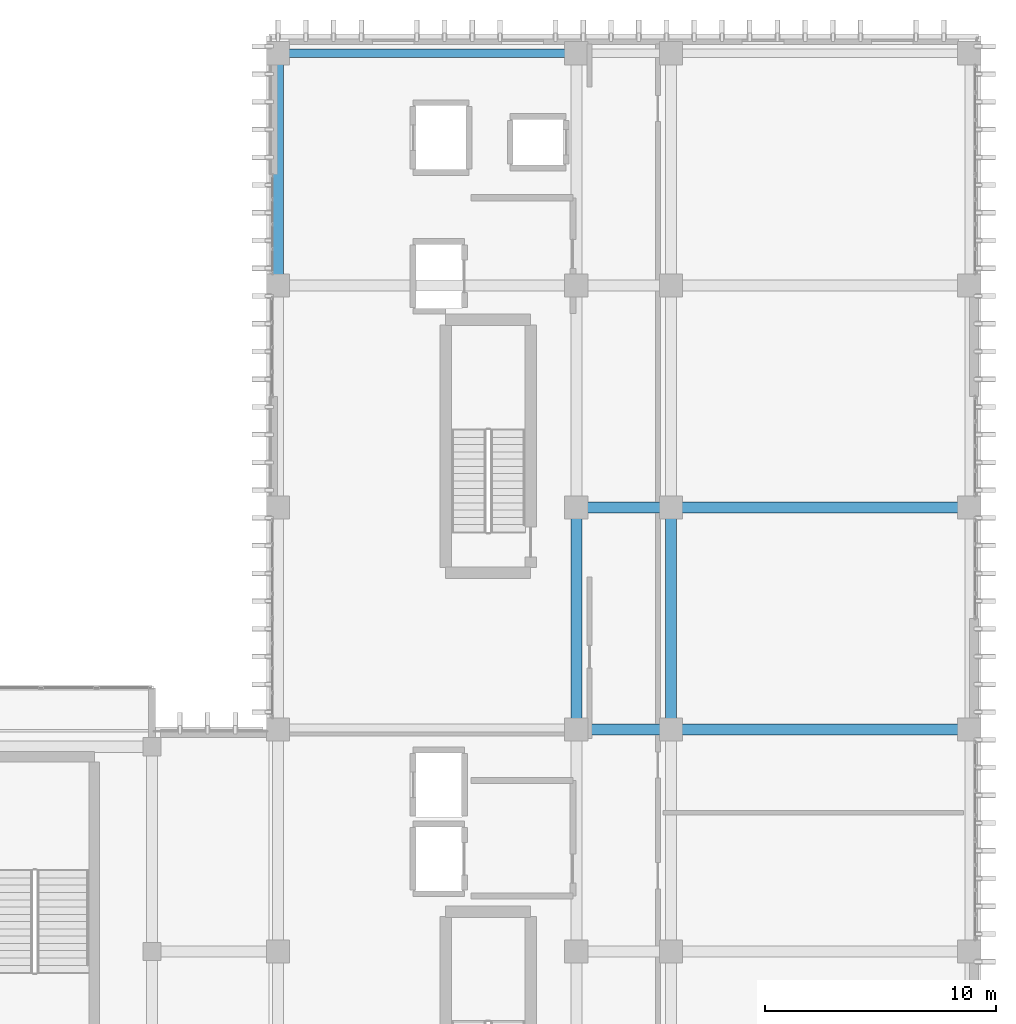
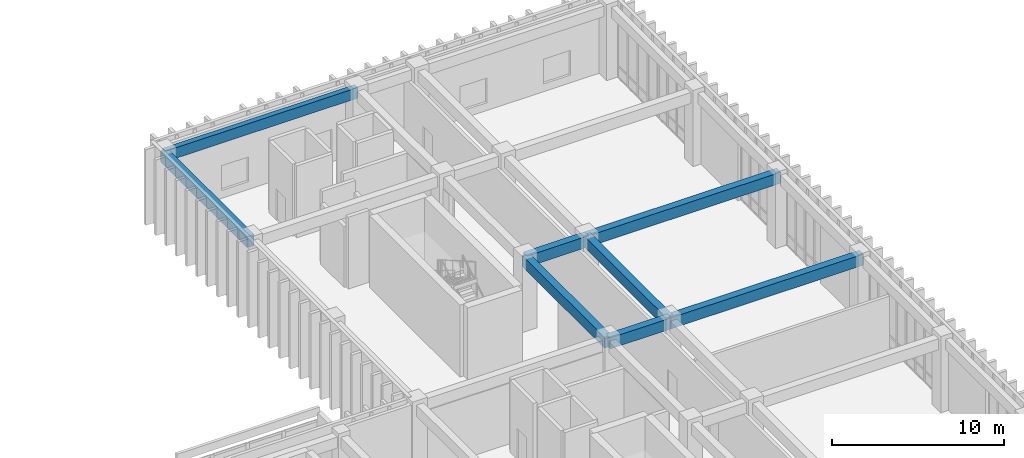
# One storey, part 82 of 134: 8 beams.
"""IFC4 building model written with IfcOpenShell, lengths in metres."""

from ifc_helpers import new_model, si_unit, direction, frame, origin, origin_2d, place, context, subcontext, project, spatial, rectangle, extrude, material, material_profile, profile_set, type_object, element, save


model = new_model("IFC4")

# Units and contexts
model_context = context("Model", 3, precision=1e-05, world=origin(), true_north=direction((0.0, 1.0)))
body_context = subcontext(model_context, "Body", "Model", "MODEL_VIEW")
ifc_project = project(units=[si_unit("LENGTHUNIT", "METRE"), si_unit("AREAUNIT", "SQUARE_METRE"), si_unit("VOLUMEUNIT", "CUBIC_METRE"), si_unit("PLANEANGLEUNIT", "RADIAN"), si_unit("MASSUNIT", "GRAM", prefix="KILO")], contexts=[model_context])

# Site, building, storey
site_placement = place(None, origin())
site = spatial("IfcSite", under=ifc_project, at=site_placement, CompositionType="ELEMENT")
building_placement = place(site_placement, origin())
building = spatial("IfcBuilding", under=site, at=building_placement, Name="Nakhvara Creek Congress Hotel", CompositionType="ELEMENT")
storey_placement = place(building_placement, frame((0.0, 0.0, 6.0)))
storey = spatial("IfcBuildingStorey", under=building, at=storey_placement, Name="L01", CompositionType="ELEMENT", Elevation=6.0)

# Beams
ifc_material = material(Name="Concrete C40/50", Category="concrete")
ifc_material_profile_1 = material_profile(ifc_material, rectangle(XDim=0.47998046875, YDim=0.780029296875, at=origin_2d()), Name="RC-BM 480x780", Category="LoadBearing")
ifc_profile_set_1 = profile_set([ifc_material_profile_1], Name="Concrete C40/50")
beam_type_1 = type_object("IfcBeamType", Name="BM-RC-480X780", PredefinedType="BEAM", material=ifc_profile_set_1)
beam_1_placement = place(storey_placement, frame((149.449951171875, 115.199951171875, 4.7099609375), z_axis=(0.0, 1.0, 0.0), x_axis=(-1.0, 0.0, 0.0)))
element("IfcBeam", 1, at=beam_1_placement, inside=storey, type_object=beam_type_1, Name="Beam B13-L01-1294", PredefinedType="BEAM", context=body_context, shape_type="SweptSolid", body=[
    extrude(rectangle(XDim=0.47998046875, YDim=0.780029296875, at=origin_2d()), origin(), (0.0, 0.0, 1.0), 10.050048828125),
])
beam_2_placement = place(storey_placement, frame((162.35009765625, 96.0, 4.7099609375), z_axis=(0.0, 1.0, 0.0), x_axis=(-1.0, 0.0, 0.0)))
element("IfcBeam", 2, at=beam_2_placement, inside=storey, type_object=beam_type_1, Name="Beam B13-L01-1317", PredefinedType="BEAM", context=body_context, shape_type="SweptSolid", body=[
    extrude(rectangle(XDim=0.47998046875, YDim=0.780029296875, at=origin_2d()), origin(), (0.0, 0.0, 1.0), 9.60009765625),
])
for number, where, z_axis, x_axis, name in (
    (3, (162.35009765625, 96.0, 4.7099609375), (1.0, 0.0, 0.0), (0.0, 1.0, 0.0), "Beam B13-L01-1318"),
    (4, (162.35009765625, 105.60009765625, 4.7099609375), (1.0, 0.0, 0.0), (0.0, 1.0, 0.0), "Beam B13-L01-1320"),
):
    element("IfcBeam", number, at=place(storey_placement, frame(where, z_axis=z_axis, x_axis=x_axis)), inside=storey, type_object=beam_type_1, Name=name, PredefinedType="BEAM", context=body_context, shape_type="SweptSolid", body=[
        extrude(rectangle(XDim=0.47998046875, YDim=0.780029296875, at=origin_2d()), origin(), (0.0, 0.0, 1.0), 4.099853515625),
    ])
beam_3_placement = place(storey_placement, frame((166.449951171875, 96.0, 4.7099609375), z_axis=(0.0, 1.0, 0.0), x_axis=(-1.0, 0.0, 0.0)))
element("IfcBeam", 5, at=beam_3_placement, inside=storey, type_object=beam_type_1, Name="Beam B13-L01-1342", PredefinedType="BEAM", context=body_context, shape_type="SweptSolid", body=[
    extrude(rectangle(XDim=0.47998046875, YDim=0.780029296875, at=origin_2d()), origin(), (0.0, 0.0, 1.0), 9.60009765625),
])
for number, where, z_axis, x_axis, name in (
    (6, (166.449951171875, 96.0, 4.7099609375), (1.0, 0.0, 0.0), (0.0, 1.0, 0.0), "Beam B13-L01-1343"),
    (7, (166.449951171875, 105.60009765625, 4.7099609375), (1.0, 0.0, 0.0), (0.0, 1.0, 0.0), "Beam B13-L01-1345"),
):
    element("IfcBeam", number, at=place(storey_placement, frame(where, z_axis=z_axis, x_axis=x_axis)), inside=storey, type_object=beam_type_1, Name=name, PredefinedType="BEAM", context=body_context, shape_type="SweptSolid", body=[
        extrude(rectangle(XDim=0.47998046875, YDim=0.780029296875, at=origin_2d()), origin(), (0.0, 0.0, 1.0), 12.900146484375),
    ])
ifc_material_profile_2 = material_profile(ifc_material, rectangle(XDim=0.35009765625, YDim=0.75, at=origin_2d()), Name="RC-SPANDREL 350x750", Category="LoadBearing")
ifc_profile_set_2 = profile_set([ifc_material_profile_2], Name="Concrete C40/50")
beam_type_2 = type_object("IfcBeamType", Name="BM-SPN-350X750", PredefinedType="SPANDREL", material=ifc_profile_set_2)
beam_4_placement = place(storey_placement, frame((149.449951171875, 125.25, 4.72509765625), z_axis=(1.0, 0.0, 0.0), x_axis=(0.0, 1.0, 0.0)))
element("IfcBeam", 8, at=beam_4_placement, inside=storey, type_object=beam_type_2, Name="Beam SP1-L01-1296", PredefinedType="SPANDREL", context=body_context, shape_type="SweptSolid", body=[
    extrude(rectangle(XDim=0.35009765625, YDim=0.75, at=origin_2d()), origin(), (0.0, 0.0, 1.0), 12.900146484375),
])

save(model, "model.ifc")
